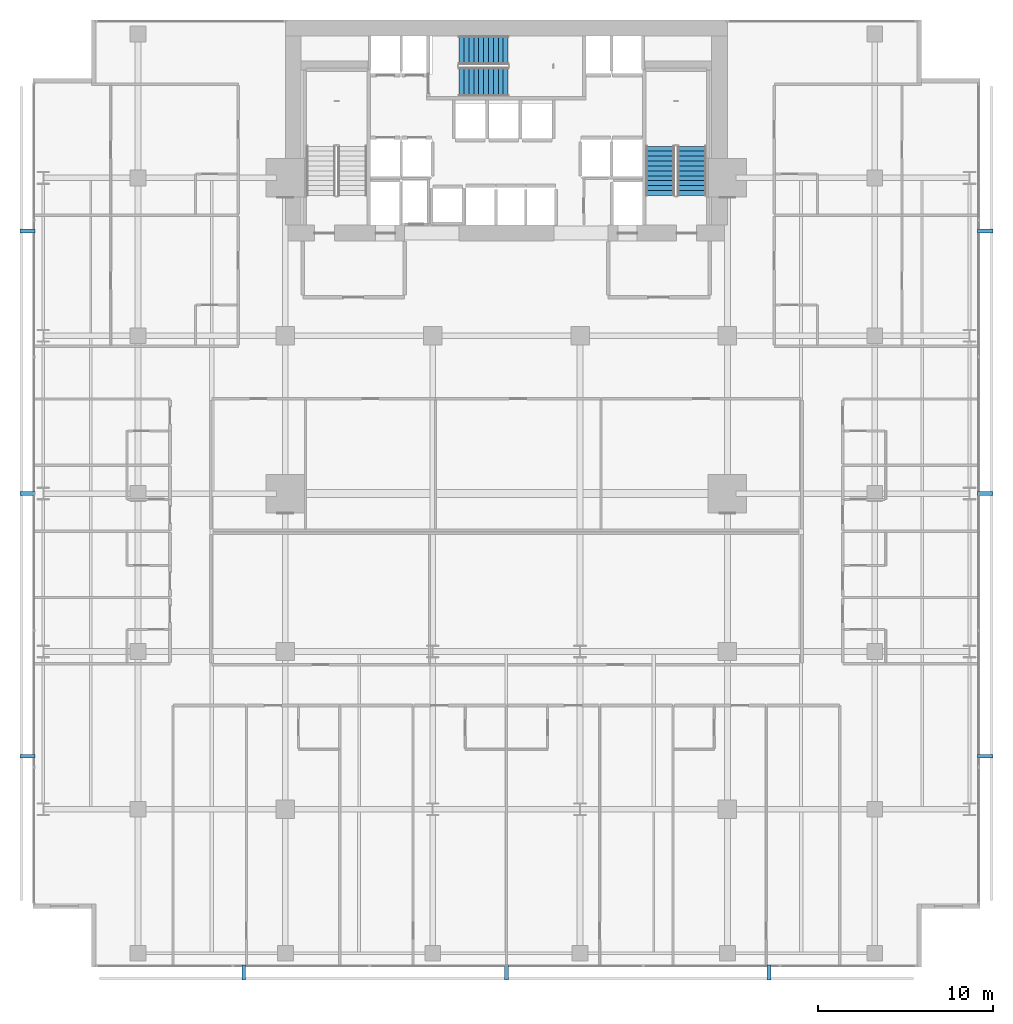
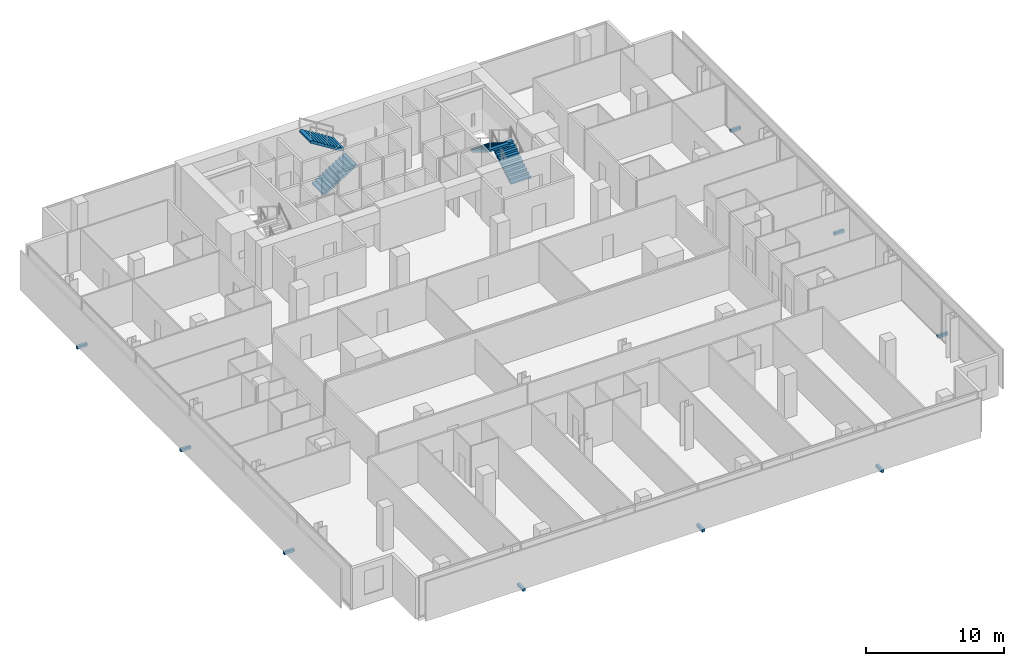
# One storey, part 38 of 40: 9 discrete accessories, 4 stair flights, 2 elements without a shape of their own.
"""IFC4 building model written with IfcOpenShell, lengths in metres."""

from ifc_helpers import new_model, si_unit, direction, frame, origin, origin_2d, place, context, subcontext, project, spatial, polyline, rectangle, outline, extrude, material, type_object, element, aggregate, save


model = new_model("IFC4")

# Units and contexts
model_context = context("Model", 3, precision=1e-05, world=origin(), true_north=direction((0.0, 1.0)))
body_context = subcontext(model_context, "Body", "Model", "MODEL_VIEW")
ifc_project = project(units=[si_unit("LENGTHUNIT", "METRE"), si_unit("AREAUNIT", "SQUARE_METRE"), si_unit("VOLUMEUNIT", "CUBIC_METRE"), si_unit("PLANEANGLEUNIT", "RADIAN"), si_unit("MASSUNIT", "GRAM", prefix="KILO")], contexts=[model_context])

# Site, building, storey
site_placement = place(None, origin())
site = spatial("IfcSite", under=ifc_project, at=site_placement, CompositionType="ELEMENT")
building_placement = place(site_placement, origin())
building = spatial("IfcBuilding", under=site, at=building_placement, Name="Maruvema Waterfront Hotel and Observation Tower", CompositionType="ELEMENT")
storey_placement = place(building_placement, frame((0.0, 0.0, 103.949951171875)))
storey = spatial("IfcBuildingStorey", under=building, at=storey_placement, Name="L25", CompositionType="ELEMENT", Elevation=103.949951171875)

# Stair, stair flights
ifc_material_1 = material(Name="Concrete C50/60", Category="concrete")
stair_type = type_object("IfcStairType", Name="Dogleg Exit Stair 1650 mm (22R x 175.0 mm)", PredefinedType="HALF_TURN_STAIR", material=ifc_material_1)
stair_1_placement = place(storey_placement, origin())
stair_1 = element("IfcStair", 1, at=stair_1_placement, inside=storey, type_object=stair_type, Name="L25 ST-02", PredefinedType="HALF_TURN_STAIR")
ifc_material_2 = material(Name="Concrete C50/60", Category="concrete")
stair_flight_type = type_object("IfcStairFlightType", Name="Reinforced Concrete Stair Flight 1650 mm (11R x 175.0 mm)", PredefinedType="STRAIGHT", material=ifc_material_2)
stair_flight_1_placement = place(storey_placement, frame((35.10009765625, 50.47509765625, 0.0), z_axis=(0.0, 0.0, 1.0), x_axis=(1.0, 0.0, 0.0)))
stair_flight_1 = element("IfcStairFlight", 2, at=stair_flight_1_placement, type_object=stair_flight_type, Name="ST-02 flight 1", NumberOfRisers=11, NumberOfTreads=10, PredefinedType="STRAIGHT", RiserHeight=0.175, TreadLength=0.28, context=body_context, shape_type="SweptSolid", body=[
    extrude(outline(polyline([(0.0, 0.0), (0.0, 0.175048828125), (0.280029296875, 0.175048828125), (0.280029296875, 0.35009765625), (0.56005859375, 0.35009765625), (0.56005859375, 0.52490234375), (0.840087890625, 0.52490234375), (0.840087890625, 0.699951171875), (1.1201171875, 0.699951171875), (1.1201171875, 0.875), (1.39990234375, 0.875), (1.39990234375, 1.050048828125), (1.679931640625, 1.050048828125), (1.679931640625, 1.22509765625), (1.9599609375, 1.22509765625), (1.9599609375, 1.39990234375), (2.239990234375, 1.39990234375), (2.239990234375, 1.574951171875), (2.52001953125, 1.574951171875), (2.52001953125, 1.75), (2.800048828125, 1.75), (2.800048828125, 1.925048828125), (2.800048828125, 1.5732421875), (0.28271484375, 0.0), (0.0, 0.0)])), frame((0.0, 0.824951171875, 0.0), z_axis=(0.0, -1.0, 0.0), x_axis=(1.0, 0.0, 0.0)), (0.0, 0.0, 1.0), 1.64990234375),
])
stair_flight_2_placement = place(storey_placement, frame((37.89990234375, 52.27490234375, 1.925048828125), z_axis=(0.0, 0.0, 1.0), x_axis=(-1.0, 0.0, 0.0)))
stair_flight_2 = element("IfcStairFlight", 3, at=stair_flight_2_placement, type_object=stair_flight_type, Name="ST-02 flight 2", NumberOfRisers=11, NumberOfTreads=10, PredefinedType="STRAIGHT", RiserHeight=0.175, TreadLength=0.28, context=body_context, shape_type="SweptSolid", body=[
    extrude(outline(polyline([(0.0, 0.0), (0.0, 0.175048828125), (0.280029296875, 0.175048828125), (0.280029296875, 0.35009765625), (0.56005859375, 0.35009765625), (0.56005859375, 0.52490234375), (0.840087890625, 0.52490234375), (0.840087890625, 0.699951171875), (1.1201171875, 0.699951171875), (1.1201171875, 0.875), (1.39990234375, 0.875), (1.39990234375, 1.050048828125), (1.679931640625, 1.050048828125), (1.679931640625, 1.22509765625), (1.9599609375, 1.22509765625), (1.9599609375, 1.39990234375), (2.239990234375, 1.39990234375), (2.239990234375, 1.574951171875), (2.52001953125, 1.574951171875), (2.52001953125, 1.75), (2.800048828125, 1.75), (2.800048828125, 1.925048828125), (2.800048828125, 1.5732421875), (0.28271484375, 0.0), (0.0, 0.0)])), frame((0.0, 0.824951171875, 0.0), z_axis=(0.0, -1.0, 0.0), x_axis=(1.0, 0.0, 0.0)), (0.0, 0.0, 1.0), 1.64990234375),
])
aggregate(stair_1, [stair_flight_1, stair_flight_2])

stair_2_placement = place(storey_placement, origin())
stair_2 = element("IfcStair", 4, at=stair_2_placement, inside=storey, type_object=stair_type, Name="L25 ST-03", PredefinedType="HALF_TURN_STAIR")
stair_flight_3_placement = place(storey_placement, frame((48.375, 44.0, 0.0), z_axis=(0.0, 0.0, 1.0), x_axis=(0.0, 1.0, 0.0)))
stair_flight_3 = element("IfcStairFlight", 5, at=stair_flight_3_placement, type_object=stair_flight_type, Name="ST-03 flight 1", NumberOfRisers=11, NumberOfTreads=10, PredefinedType="STRAIGHT", RiserHeight=0.175, TreadLength=0.28, context=body_context, shape_type="SweptSolid", body=[
    extrude(outline(polyline([(0.0, 0.0), (0.0, 0.175048828125), (0.280029296875, 0.175048828125), (0.280029296875, 0.35009765625), (0.56005859375, 0.35009765625), (0.56005859375, 0.52490234375), (0.840087890625, 0.52490234375), (0.840087890625, 0.699951171875), (1.1201171875, 0.699951171875), (1.1201171875, 0.875), (1.39990234375, 0.875), (1.39990234375, 1.050048828125), (1.679931640625, 1.050048828125), (1.679931640625, 1.22509765625), (1.9599609375, 1.22509765625), (1.9599609375, 1.39990234375), (2.239990234375, 1.39990234375), (2.239990234375, 1.574951171875), (2.52001953125, 1.574951171875), (2.52001953125, 1.75), (2.800048828125, 1.75), (2.800048828125, 1.925048828125), (2.800048828125, 1.5732421875), (0.28271484375, 0.0), (0.0, 0.0)])), frame((0.0, 0.824951171875, 0.0), z_axis=(0.0, -1.0, 0.0), x_axis=(1.0, 0.0, 0.0)), (0.0, 0.0, 1.0), 1.64990234375),
])
stair_flight_4_placement = place(storey_placement, frame((46.574951171875, 46.800048828125, 1.925048828125), z_axis=(0.0, 0.0, 1.0), x_axis=(0.0, -1.0, 0.0)))
stair_flight_4 = element("IfcStairFlight", 6, at=stair_flight_4_placement, type_object=stair_flight_type, Name="ST-03 flight 2", NumberOfRisers=11, NumberOfTreads=10, PredefinedType="STRAIGHT", RiserHeight=0.175, TreadLength=0.28, context=body_context, shape_type="SweptSolid", body=[
    extrude(outline(polyline([(0.0, 0.0), (0.0, 0.175048828125), (0.280029296875, 0.175048828125), (0.280029296875, 0.35009765625), (0.56005859375, 0.35009765625), (0.56005859375, 0.52490234375), (0.840087890625, 0.52490234375), (0.840087890625, 0.699951171875), (1.1201171875, 0.699951171875), (1.1201171875, 0.875), (1.39990234375, 0.875), (1.39990234375, 1.050048828125), (1.679931640625, 1.050048828125), (1.679931640625, 1.22509765625), (1.9599609375, 1.22509765625), (1.9599609375, 1.39990234375), (2.239990234375, 1.39990234375), (2.239990234375, 1.574951171875), (2.52001953125, 1.574951171875), (2.52001953125, 1.75), (2.800048828125, 1.75), (2.800048828125, 1.925048828125), (2.800048828125, 1.5732421875), (0.28271484375, 0.0), (0.0, 0.0)])), frame((0.0, 0.824951171875, 0.0), z_axis=(0.0, -1.0, 0.0), x_axis=(1.0, 0.0, 0.0)), (0.0, 0.0, 1.0), 1.64990234375),
])
aggregate(stair_2, [stair_flight_3, stair_flight_4])

# Discrete accessories
ifc_material_3 = material(Name="Duplex stainless steel Grade 2205", Category="steel")
discrete_accessory_type = type_object("IfcDiscreteAccessoryType", Name="Double-Skin Cavity Stainless Outrigger Bracket", PredefinedType="BRACKET", material=ifc_material_3)
for number, where, z_axis, x_axis, name in (
    (7, (22.823974609375, -0.300048828125, -0.14013671875), (0.0, 0.0, 1.0), (1.0, 0.0, 0.0), "L25 Outer Skin Support Bracket 1"),
    (8, (37.800048828125, -0.300048828125, -0.14013671875), (0.0, 0.0, 1.0), (1.0, 0.0, 0.0), "L25 Outer Skin Support Bracket 2"),
    (9, (52.77587890625, -0.300048828125, -0.14013671875), (0.0, 0.0, 1.0), (1.0, 0.0, 0.0), "L25 Outer Skin Support Bracket 3"),
    (10, (65.10009765625, 12.02392578125, -0.14013671875), (0.0, 0.0, 1.0), (0.0, 1.0, 0.0), "L25 Outer Skin Support Bracket 1"),
    (11, (65.10009765625, 27.0, -0.14013671875), (0.0, 0.0, 1.0), (0.0, 1.0, 0.0), "L25 Outer Skin Support Bracket 2"),
    (12, (65.10009765625, 41.97607421875, -0.14013671875), (0.0, 0.0, 1.0), (0.0, 1.0, 0.0), "L25 Outer Skin Support Bracket 3"),
    (13, (10.5, 41.97607421875, -0.14013671875), (0.0, 0.0, 1.0), (0.0, -1.0, 0.0), "L25 Outer Skin Support Bracket 1"),
    (14, (10.5, 27.0, -0.14013671875), (0.0, 0.0, 1.0), (0.0, -1.0, 0.0), "L25 Outer Skin Support Bracket 2"),
    (15, (10.5, 12.02392578125, -0.14013671875), (0.0, 0.0, 1.0), (0.0, -1.0, 0.0), "L25 Outer Skin Support Bracket 3"),
):
    element("IfcDiscreteAccessory", number, at=place(storey_placement, frame(where, z_axis=z_axis, x_axis=x_axis)), inside=storey, type_object=discrete_accessory_type, Name=name, PredefinedType="BRACKET", context=body_context, shape_type="SweptSolid", body=[
        extrude(rectangle(XDim=0.219970703125, YDim=0.860107421875, at=origin_2d()), origin(), (0.0, 0.0, 1.0), 0.239990234375),
    ])

save(model, "model.ifc")
